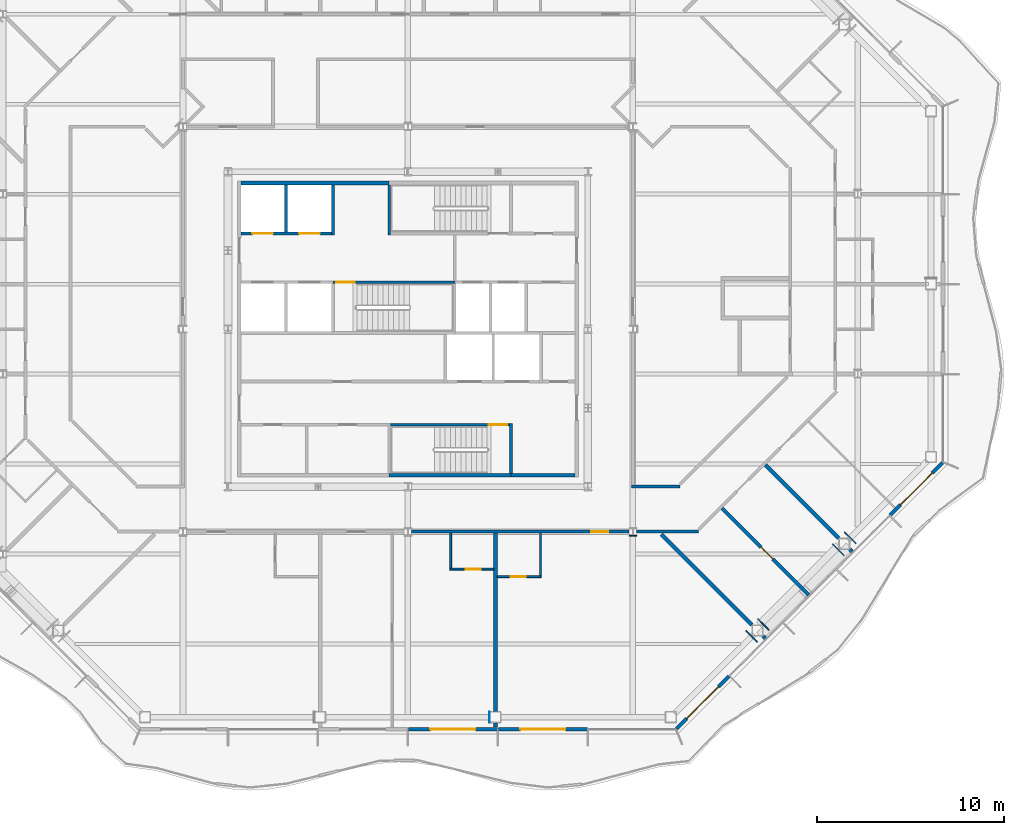
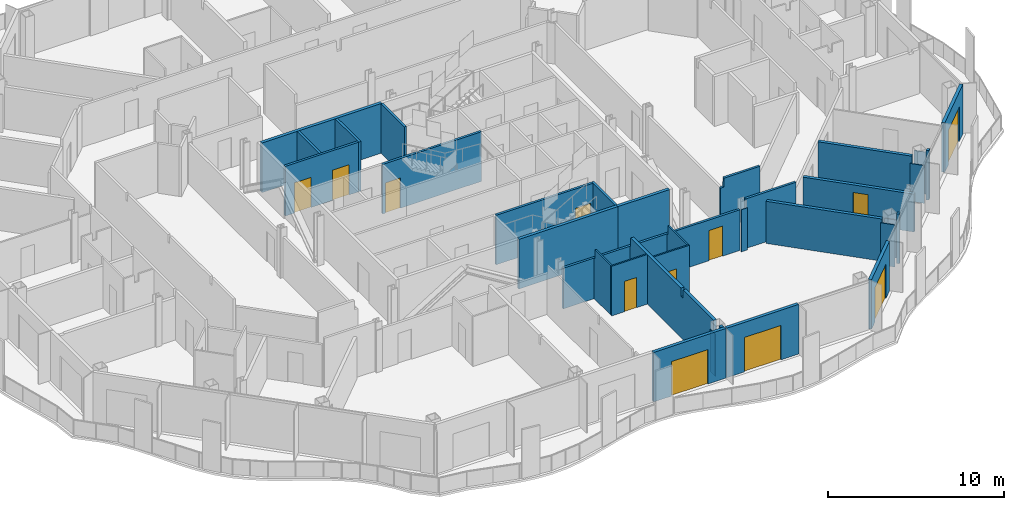
# One storey, part 9 of 21: 34 walls, 12 doors, 12 openings.
"""IFC4 building model written with IfcOpenShell, lengths in metres."""

from ifc_helpers import new_model, si_unit, direction, frame, frame_2d, origin, place, context, subcontext, project, spatial, polyline, rectangle, outline, extrude, material, layer, layer_set, type_object, element, fill, save


model = new_model("IFC4")

# Units and contexts
model_context = context("Model", 3, precision=1e-05, world=origin(), true_north=direction((0.0, 1.0)))
body_context = subcontext(model_context, "Body", "Model", "MODEL_VIEW")
ifc_project = project(units=[si_unit("LENGTHUNIT", "METRE"), si_unit("AREAUNIT", "SQUARE_METRE"), si_unit("VOLUMEUNIT", "CUBIC_METRE"), si_unit("PLANEANGLEUNIT", "RADIAN"), si_unit("MASSUNIT", "GRAM", prefix="KILO")], contexts=[model_context])

# Site, building, storey
site_placement = place(None, origin())
site = spatial("IfcSite", under=ifc_project, at=site_placement, CompositionType="ELEMENT")
building_placement = place(site_placement, origin())
building = spatial("IfcBuilding", under=site, at=building_placement, Name="Cairn Pilgrim Tower", CompositionType="ELEMENT")
storey_placement = place(building_placement, frame((0.0, 0.0, 157.800048828125)))
storey = spatial("IfcBuildingStorey", under=building, at=storey_placement, Name="L39", CompositionType="ELEMENT", Elevation=157.800048828125)

# Wall, opening, door
ifc_material_1 = material(Name="Bronze anodised aluminium insulated sandwich panel with mineral wool fill", Category="aluminium")
ifc_layer_1 = layer(ifc_material_1, 0.199951171875)
ifc_layer_set_1 = layer_set([ifc_layer_1], Name="BRONZE INFILL FRAME WALL 200")
wall_type_1 = type_object("IfcWallType", Name="BRONZE INFILL FRAME WALL 200", PredefinedType="NOTDEFINED", material=ifc_layer_set_1)
wall_1_placement = place(storey_placement, frame((7.22998046875, -18.949951171875, 0.0), z_axis=(0.0, 0.0, 1.0), x_axis=(1.0, 0.0, 0.0)))
wall_1 = element("IfcWall", 1, at=wall_1_placement, inside=storey, type_object=wall_type_1, Name="Bronze infill frame wall IW-S4", PredefinedType="NOTDEFINED", context=body_context, shape_type="SweptSolid", body=[
    extrude(rectangle(XDim=4.739990234375, YDim=0.199951171875, at=frame_2d((2.3701171875, 0.0))), origin(), (0.0, 0.0, 1.0), 3.449951171875),
])
opening_1_placement = place(wall_1_placement, frame((1.17041015625, 0.0, 0.0)))
opening_1 = element("IfcOpeningElement", 2, at=opening_1_placement, cuts=wall_1, Name="Opening 3922SB", PredefinedType="OPENING", context=body_context, shape_type="SweptSolid", body=[
    extrude(rectangle(XDim=2.39990234375, YDim=2.39990234375, at=frame_2d((1.199951171875, 1.199951171875))), frame((0.0, 0.10986328125, 0.0), z_axis=(0.0, -1.0, 0.0), x_axis=(1.0, 0.0, 0.0)), (0.0, 0.0, 1.0), 0.219970703125),
])
ifc_material_2 = material(Name="Bronze anodised aluminium frame with tinted low-E glass", Category="aluminium")
door_type_1 = type_object("IfcDoorType", Name="BALCONY SLIDING DOOR 2400x2400", OperationType="DOUBLE_DOOR_SLIDING", PredefinedType="DOOR", material=ifc_material_2)
door_1_placement = place(opening_1_placement, origin())
door_1 = element("IfcDoor", 3, at=door_1_placement, inside=storey, type_object=door_type_1, Name="Balcony sliding door 3922SB", OperationType="SINGLE_SWING_LEFT", OverallHeight=2.39990234375, OverallWidth=2.39990234375, PredefinedType="DOOR", context=body_context, shape_type="SweptSolid", body=[
    extrude(rectangle(XDim=2.39990234375, YDim=2.39990234375, at=frame_2d((1.199951171875, 1.199951171875))), frame((0.0, 0.02490234375, 0.0), z_axis=(0.0, -1.0, 0.0), x_axis=(1.0, 0.0, 0.0)), (0.0, 0.0, 1.0), 0.050048828125),
])
fill(opening_1, door_1)

wall_2_placement = place(storey_placement, frame((12.030029296875, -18.949951171875, 0.0), z_axis=(0.0, 0.0, 1.0), x_axis=(1.0, 0.0, 0.0)))
wall_2 = element("IfcWall", 4, at=wall_2_placement, inside=storey, type_object=wall_type_1, Name="Bronze infill frame wall IW-S5", PredefinedType="NOTDEFINED", context=body_context, shape_type="SweptSolid", body=[
    extrude(rectangle(XDim=4.739990234375, YDim=0.199951171875, at=frame_2d((2.3701171875, 0.0))), origin(), (0.0, 0.0, 1.0), 3.449951171875),
])
opening_2_placement = place(wall_2_placement, frame((1.169677734375, 0.0, 0.0)))
opening_2 = element("IfcOpeningElement", 5, at=opening_2_placement, cuts=wall_2, Name="Opening 3901B", PredefinedType="OPENING", context=body_context, shape_type="SweptSolid", body=[
    extrude(rectangle(XDim=2.39990234375, YDim=2.39990234375, at=frame_2d((1.199951171875, 1.199951171875))), frame((0.0, 0.10986328125, 0.0), z_axis=(0.0, -1.0, 0.0), x_axis=(1.0, 0.0, 0.0)), (0.0, 0.0, 1.0), 0.219970703125),
])
door_2_placement = place(opening_2_placement, origin())
door_2 = element("IfcDoor", 6, at=door_2_placement, inside=storey, type_object=door_type_1, Name="Balcony sliding door 3901B", OperationType="SINGLE_SWING_LEFT", OverallHeight=2.39990234375, OverallWidth=2.39990234375, PredefinedType="DOOR", context=body_context, shape_type="SweptSolid", body=[
    extrude(rectangle(XDim=2.39990234375, YDim=2.39990234375, at=frame_2d((1.199951171875, 1.199951171875))), frame((0.0, 0.02490234375, 0.0), z_axis=(0.0, -1.0, 0.0), x_axis=(1.0, 0.0, 0.0)), (0.0, 0.0, 1.0), 0.050048828125),
])
fill(opening_2, door_2)

wall_3_placement = place(storey_placement, frame((21.524658203125, -18.921630859375, 0.0), z_axis=(0.0, 0.0, 1.0), x_axis=(0.707137595296, 0.707075965734, 0.0)))
wall_3 = element("IfcWall", 7, at=wall_3_placement, inside=storey, type_object=wall_type_1, Name="Bronze infill frame wall IW-SE1", PredefinedType="NOTDEFINED", context=body_context, shape_type="SweptSolid", body=[
    extrude(rectangle(XDim=3.96142578125, YDim=0.199951171875, at=frame_2d((1.980712890625, 0.0))), origin(), (0.0, 0.0, 1.0), 3.449951171875),
])
opening_3_placement = place(wall_3_placement, frame((0.775390625, 0.0, 0.0)))
opening_3 = element("IfcOpeningElement", 8, at=opening_3_placement, cuts=wall_3, Name="Opening 3901B2", PredefinedType="OPENING", context=body_context, shape_type="SweptSolid", body=[
    extrude(rectangle(XDim=2.39990234375, YDim=2.39990234375, at=frame_2d((1.199951171875, 1.199951171875))), frame((0.0, 0.10986328125, 0.0), z_axis=(0.0, -1.0, 0.0), x_axis=(1.0, 0.0, 0.0)), (0.0, 0.0, 1.0), 0.219970703125),
])
door_3_placement = place(opening_3_placement, origin())
door_3 = element("IfcDoor", 9, at=door_3_placement, inside=storey, type_object=door_type_1, Name="Balcony sliding door 3901B2", OperationType="SINGLE_SWING_LEFT", OverallHeight=2.39990234375, OverallWidth=2.39990234375, PredefinedType="DOOR", context=body_context, shape_type="SweptSolid", body=[
    extrude(rectangle(XDim=2.39990234375, YDim=2.39990234375, at=frame_2d((1.199951171875, 1.199951171875))), frame((0.0, 0.02490234375, 0.0), z_axis=(0.0, -1.0, 0.0), x_axis=(1.0, 0.0, 0.0)), (0.0, 0.0, 1.0), 0.050048828125),
])
fill(opening_3, door_3)

wall_4_placement = place(storey_placement, frame((32.92041015625, -7.52587890625, 0.0), z_axis=(0.0, 0.0, 1.0), x_axis=(0.707106781187, 0.707106781187, 0.0)))
wall_4 = element("IfcWall", 10, at=wall_4_placement, inside=storey, type_object=wall_type_1, Name="Bronze infill frame wall IW-SE5", PredefinedType="NOTDEFINED", context=body_context, shape_type="SweptSolid", body=[
    extrude(rectangle(XDim=3.961669921875, YDim=0.199951171875, at=frame_2d((1.98095703125, 0.0))), origin(), (0.0, 0.0, 1.0), 3.449951171875),
])
opening_4_placement = place(wall_4_placement, frame((0.785400390625, 0.0, 0.0)))
opening_4 = element("IfcOpeningElement", 11, at=opening_4_placement, cuts=wall_4, Name="Opening 3905B", PredefinedType="OPENING", context=body_context, shape_type="SweptSolid", body=[
    extrude(rectangle(XDim=2.39990234375, YDim=2.39990234375, at=frame_2d((1.199951171875, 1.199951171875))), frame((0.0, 0.10986328125, 0.0), z_axis=(0.0, -1.0, 0.0), x_axis=(1.0, 0.0, 0.0)), (0.0, 0.0, 1.0), 0.219970703125),
])
door_4_placement = place(opening_4_placement, origin())
door_4 = element("IfcDoor", 12, at=door_4_placement, inside=storey, type_object=door_type_1, Name="Balcony sliding door 3905B", OperationType="SINGLE_SWING_LEFT", OverallHeight=2.39990234375, OverallWidth=2.39990234375, PredefinedType="DOOR", context=body_context, shape_type="SweptSolid", body=[
    extrude(rectangle(XDim=2.39990234375, YDim=2.39990234375, at=frame_2d((1.199951171875, 1.199951171875))), frame((0.0, 0.02490234375, 0.0), z_axis=(0.0, -1.0, 0.0), x_axis=(1.0, 0.0, 0.0)), (0.0, 0.0, 1.0), 0.050048828125),
])
fill(opening_4, door_4)

# Walls
ifc_material_3 = material(Name="Concrete C32/40", Category="concrete")
ifc_layer_2 = layer(ifc_material_3, 0.199951171875)
ifc_layer_set_2 = layer_set([ifc_layer_2], Name="CORE OUTER WALL 200 EI 120")
wall_type_2 = type_object("IfcWallType", Name="CORE OUTER WALL 200 EI 120", PredefinedType="SOLIDWALL", material=ifc_layer_set_2)
wall_5_placement = place(storey_placement, frame((12.699951171875, -5.39990234375, 0.0), z_axis=(0.0, 0.0, 1.0), x_axis=(1.0, 0.0, 0.0)))
element("IfcWall", 13, at=wall_5_placement, inside=storey, type_object=wall_type_2, Name="CW:L39:H01-3", PredefinedType="SOLIDWALL", context=body_context, shape_type="SweptSolid", body=[
    extrude(rectangle(XDim=3.400146484375, YDim=0.199951171875, at=frame_2d((1.7001953125, 0.0))), origin(), (0.0, 0.0, 1.0), 3.449951171875),
])
wall_6_placement = place(storey_placement, frame((-1.699951171875, 10.199951171875, 0.0), z_axis=(0.0, 0.0, 1.0), x_axis=(1.0, 0.0, 0.0)))
element("IfcWall", 14, at=wall_6_placement, inside=storey, type_object=wall_type_2, Name="CW:L39:H12-1", PredefinedType="SOLIDWALL", context=body_context, shape_type="SweptSolid", body=[
    extrude(rectangle(XDim=7.89990234375, YDim=0.199951171875, at=frame_2d((3.949951171875, 0.0))), origin(), (0.0, 0.0, 1.0), 3.449951171875),
])

# Wall, openings, doors
ifc_layer_3 = layer(ifc_material_3, 0.14990234375)
ifc_layer_set_3 = layer_set([ifc_layer_3], Name="CORE SHAFT WALL 150 EI 120")
wall_type_3 = type_object("IfcWallType", Name="CORE SHAFT WALL 150 EI 120", PredefinedType="SOLIDWALL", material=ifc_layer_set_3)
wall_7_placement = place(storey_placement, frame((-1.699951171875, 7.5, 0.0), z_axis=(0.0, 0.0, 1.0), x_axis=(1.0, 0.0, 0.0)))
wall_7 = element("IfcWall", 15, at=wall_7_placement, inside=storey, type_object=wall_type_3, Name="CW:L39:H10", PredefinedType="SOLIDWALL", context=body_context, shape_type="SweptSolid", body=[
    extrude(rectangle(XDim=4.824951171875, YDim=0.14990234375, at=frame_2d((2.41259765625, 0.0))), origin(), (0.0, 0.0, 1.0), 3.449951171875),
])
opening_5_placement = place(wall_7_placement, frame((0.60009765625, 0.0, 0.0)))
opening_5 = element("IfcOpeningElement", 16, at=opening_5_placement, cuts=wall_7, Name="Opening LD-HR3", PredefinedType="OPENING", context=body_context, shape_type="SweptSolid", body=[
    extrude(rectangle(XDim=1.10009765625, YDim=2.10009765625, at=frame_2d((0.550048828125, 1.050048828125))), frame((0.0, 0.0849609375, 0.0), z_axis=(0.0, -1.0, 0.0), x_axis=(1.0, 0.0, 0.0)), (0.0, 0.0, 1.0), 0.169921875),
])
opening_6_placement = place(wall_7_placement, frame((3.10009765625, 0.0, 0.0)))
opening_6 = element("IfcOpeningElement", 17, at=opening_6_placement, cuts=wall_7, Name="Opening LD-HR4", PredefinedType="OPENING", context=body_context, shape_type="SweptSolid", body=[
    extrude(rectangle(XDim=1.10009765625, YDim=2.10009765625, at=frame_2d((0.550048828125, 1.050048828125))), frame((0.0, 0.0849609375, 0.0), z_axis=(0.0, -1.0, 0.0), x_axis=(1.0, 0.0, 0.0)), (0.0, 0.0, 1.0), 0.169921875),
])
ifc_material_4 = material(Name="Stainless steel", Category="steel")
door_type_2 = type_object("IfcDoorType", Name="LIFT LANDING DOOR 1100x2100", OperationType="DOUBLE_DOOR_SLIDING", PredefinedType="DOOR", material=ifc_material_4)
door_5_placement = place(opening_5_placement, origin())
door_5 = element("IfcDoor", 18, at=door_5_placement, inside=storey, type_object=door_type_2, Name="LANDING DOOR HR3", OperationType="DOUBLE_DOOR_SLIDING", OverallHeight=2.10009765625, OverallWidth=1.10009765625, PredefinedType="DOOR", context=body_context, shape_type="SweptSolid", body=[
    extrude(rectangle(XDim=1.10009765625, YDim=2.10009765625, at=frame_2d((0.550048828125, 1.050048828125))), frame((0.0, 0.02490234375, 0.0), z_axis=(0.0, -1.0, 0.0), x_axis=(1.0, 0.0, 0.0)), (0.0, 0.0, 1.0), 0.050048828125),
])
fill(opening_5, door_5)
door_6_placement = place(opening_6_placement, origin())
door_6 = element("IfcDoor", 19, at=door_6_placement, inside=storey, type_object=door_type_2, Name="LANDING DOOR HR4", OperationType="DOUBLE_DOOR_SLIDING", OverallHeight=2.10009765625, OverallWidth=1.10009765625, PredefinedType="DOOR", context=body_context, shape_type="SweptSolid", body=[
    extrude(rectangle(XDim=1.10009765625, YDim=2.10009765625, at=frame_2d((0.550048828125, 1.050048828125))), frame((0.0, 0.02490234375, 0.0), z_axis=(0.0, -1.0, 0.0), x_axis=(1.0, 0.0, 0.0)), (0.0, 0.0, 1.0), 0.050048828125),
])
fill(opening_6, door_6)

# Walls
wall_8_placement = place(storey_placement, frame((0.699951171875, 7.574951171875, 0.0), z_axis=(0.0, 0.0, 1.0), x_axis=(0.0, 1.0, 0.0)))
element("IfcWall", 20, at=wall_8_placement, inside=storey, type_object=wall_type_3, Name="CW:L39:V15", PredefinedType="SOLIDWALL", context=body_context, shape_type="SweptSolid", body=[
    extrude(rectangle(XDim=2.525146484375, YDim=0.14990234375, at=frame_2d((1.2626953125, 0.0))), origin(), (0.0, 0.0, 1.0), 3.449951171875),
])
wall_9_placement = place(storey_placement, frame((3.199951171875, 7.425048828125, 0.0), z_axis=(0.0, 0.0, 1.0), x_axis=(0.0, 1.0, 0.0)))
element("IfcWall", 21, at=wall_9_placement, inside=storey, type_object=wall_type_3, Name="CW:L39:V18", PredefinedType="SOLIDWALL", context=body_context, shape_type="SweptSolid", body=[
    extrude(rectangle(XDim=2.675048828125, YDim=0.14990234375, at=frame_2d((1.33740234375, 0.0))), origin(), (0.0, 0.0, 1.0), 3.449951171875),
])

# Wall, opening, door
ifc_material_5 = material(Name="Gypsum partition")
ifc_layer_4 = layer(ifc_material_5, 0.10009765625)
ifc_layer_set_4 = layer_set([ifc_layer_4], Name="PARTITION 100 DRYWALL")
wall_type_4 = type_object("IfcWallType", Name="PARTITION 100 DRYWALL", PredefinedType="PARTITIONING", material=ifc_layer_set_4)
wall_10_placement = place(storey_placement, frame((11.97607421875, -10.800048828125, 0.0), z_axis=(0.0, 0.0, 1.0), x_axis=(1.0, 0.0, 0.0)))
wall_10 = element("IfcWall", 22, at=wall_10_placement, inside=storey, type_object=wall_type_4, Name="PARTITION W013", PredefinedType="PARTITIONING", context=body_context, shape_type="SweptSolid", body=[
    extrude(rectangle(XDim=2.349853515625, YDim=0.10009765625, at=frame_2d((1.1748046875, 0.0))), origin(), (0.0, 0.0, 1.0), 3.449951171875),
])
opening_7_placement = place(wall_10_placement, frame((0.699951171875, 0.0, 0.0)))
opening_7 = element("IfcOpeningElement", 23, at=opening_7_placement, cuts=wall_10, Name="Opening 3901A", PredefinedType="OPENING", context=body_context, shape_type="SweptSolid", body=[
    extrude(rectangle(XDim=0.800048828125, YDim=2.10009765625, at=frame_2d((0.39990234375, 1.050048828125))), frame((0.0, 0.06005859375, 0.0), z_axis=(0.0, -1.0, 0.0), x_axis=(1.0, 0.0, 0.0)), (0.0, 0.0, 1.0), 0.1201171875),
])
ifc_material_6 = material(Name="Timber door leaf", Category="wood")
door_type_3 = type_object("IfcDoorType", Name="WC DOOR 800x2100", OperationType="NOTDEFINED", PredefinedType="DOOR", material=ifc_material_6)
door_7_placement = place(opening_7_placement, frame((0.800048828125, 0.0, 0.0), z_axis=(0.0, 0.0, 1.0), x_axis=(-1.0, 0.0, 0.0)))
door_7 = element("IfcDoor", 24, at=door_7_placement, inside=storey, type_object=door_type_3, Name="DOOR 3901A", OperationType="SINGLE_SWING_LEFT", OverallHeight=2.10009765625, OverallWidth=0.800048828125, PredefinedType="DOOR", context=body_context, shape_type="SweptSolid", body=[
    extrude(rectangle(XDim=0.800048828125, YDim=2.10009765625, at=frame_2d((0.39990234375, 1.050048828125))), frame((0.0, 0.02490234375, 0.0), z_axis=(0.0, -1.0, 0.0), x_axis=(1.0, 0.0, 0.0)), (0.0, 0.0, 1.0), 0.050048828125),
])
fill(opening_7, door_7)

# Wall
wall_11_placement = place(storey_placement, frame((14.27587890625, -10.75, 0.0), z_axis=(0.0, 0.0, 1.0), x_axis=(0.0, 1.0, 0.0)))
element("IfcWall", 25, at=wall_11_placement, inside=storey, type_object=wall_type_4, Name="PARTITION W014", PredefinedType="PARTITIONING", context=body_context, shape_type="SweptSolid", body=[
    extrude(outline(polyline([(0.0, 0.0), (2.27490234375, 0.0), (2.27490234375, 2.829833984375), (2.199951171875, 2.829833984375), (2.197998046875, 3.449951171875), (0.0, 3.449951171875), (0.0, 0.0)])), frame((0.0, 0.050048828125, 0.0), z_axis=(0.0, -1.0, 0.0), x_axis=(1.0, 0.0, 0.0)), (0.0, 0.0, 1.0), 0.10009765625),
])

# Wall, opening, door
wall_12_placement = place(storey_placement, frame((9.426025390625, -10.39990234375, 0.0), z_axis=(0.0, 0.0, 1.0), x_axis=(1.0, 0.0, 0.0)))
wall_12 = element("IfcWall", 26, at=wall_12_placement, inside=storey, type_object=wall_type_4, Name="PARTITION W016", PredefinedType="PARTITIONING", context=body_context, shape_type="SweptSolid", body=[
    extrude(rectangle(XDim=2.349853515625, YDim=0.10009765625, at=frame_2d((1.1748046875, 0.0))), origin(), (0.0, 0.0, 1.0), 3.449951171875),
])
opening_8_placement = place(wall_12_placement, frame((0.85009765625, 0.0, 0.0)))
opening_8 = element("IfcOpeningElement", 27, at=opening_8_placement, cuts=wall_12, Name="Opening 3922A", PredefinedType="OPENING", context=body_context, shape_type="SweptSolid", body=[
    extrude(rectangle(XDim=0.800048828125, YDim=2.10009765625, at=frame_2d((0.39990234375, 1.050048828125))), frame((0.0, 0.06005859375, 0.0), z_axis=(0.0, -1.0, 0.0), x_axis=(1.0, 0.0, 0.0)), (0.0, 0.0, 1.0), 0.1201171875),
])
door_8_placement = place(opening_8_placement, frame((0.800048828125, 0.0, 0.0), z_axis=(0.0, 0.0, 1.0), x_axis=(-1.0, 0.0, 0.0)))
door_8 = element("IfcDoor", 28, at=door_8_placement, inside=storey, type_object=door_type_3, Name="DOOR 3922A", OperationType="SINGLE_SWING_LEFT", OverallHeight=2.10009765625, OverallWidth=0.800048828125, PredefinedType="DOOR", context=body_context, shape_type="SweptSolid", body=[
    extrude(rectangle(XDim=0.800048828125, YDim=2.10009765625, at=frame_2d((0.39990234375, 1.050048828125))), frame((0.0, 0.02490234375, 0.0), z_axis=(0.0, -1.0, 0.0), x_axis=(1.0, 0.0, 0.0)), (0.0, 0.0, 1.0), 0.050048828125),
])
fill(opening_8, door_8)

# Wall
wall_13_placement = place(storey_placement, frame((9.47607421875, -10.35009765625, 0.0), z_axis=(0.0, 0.0, 1.0), x_axis=(0.0, 1.0, 0.0)))
element("IfcWall", 29, at=wall_13_placement, inside=storey, type_object=wall_type_4, Name="PARTITION W017", PredefinedType="PARTITIONING", context=body_context, shape_type="SweptSolid", body=[
    extrude(outline(polyline([(0.0, 0.0), (1.875, 0.0), (1.875, 2.829833984375), (1.800048828125, 2.829833984375), (1.798095703125, 3.449951171875), (0.0, 3.449951171875), (0.0, 0.0)])), frame((0.0, 0.050048828125, 0.0), z_axis=(0.0, -1.0, 0.0), x_axis=(1.0, 0.0, 0.0)), (0.0, 0.0, 1.0), 0.10009765625),
])

# Wall, opening, door
ifc_layer_5 = layer(ifc_material_5, 0.14990234375)
ifc_layer_set_5 = layer_set([ifc_layer_5], Name="PARTITION 150 DRYWALL EI 60")
wall_type_5 = type_object("IfcWallType", Name="PARTITION 150 DRYWALL EI 60", PredefinedType="PARTITIONING", material=ifc_layer_set_5)
wall_14_placement = place(storey_placement, frame((7.3994140625, -8.39990234375, 0.0), z_axis=(0.0, 0.0, 1.0), x_axis=(1.0, 0.0, 0.0)))
wall_14 = element("IfcWall", 30, at=wall_14_placement, inside=storey, type_object=wall_type_5, Name="PARTITION W023", PredefinedType="PARTITIONING", context=body_context, shape_type="SweptSolid", body=[
    extrude(rectangle(XDim=11.60107421875, YDim=0.14990234375, at=frame_2d((5.800537109375, 0.0))), origin(), (0.0, 0.0, 1.0), 2.829833984375),
])
opening_9_placement = place(wall_14_placement, frame((9.576416015625, 0.0, 0.0)))
opening_9 = element("IfcOpeningElement", 31, at=opening_9_placement, cuts=wall_14, Name="Opening 3901", PredefinedType="OPENING", context=body_context, shape_type="SweptSolid", body=[
    extrude(rectangle(XDim=0.89990234375, YDim=2.10009765625, at=frame_2d((0.449951171875, 1.050048828125))), frame((0.0, 0.0849609375, 0.0), z_axis=(0.0, -1.0, 0.0), x_axis=(1.0, 0.0, 0.0)), (0.0, 0.0, 1.0), 0.169921875),
])
door_type_4 = type_object("IfcDoorType", Name="ROOM DOOR 900x2100 FD30S", OperationType="NOTDEFINED", PredefinedType="DOOR", material=ifc_material_6)
door_9_placement = place(opening_9_placement, frame((0.89990234375, 0.0, 0.0), z_axis=(0.0, 0.0, 1.0), x_axis=(-1.0, 0.0, 0.0)))
door_9 = element("IfcDoor", 32, at=door_9_placement, inside=storey, type_object=door_type_4, Name="DOOR 3901", OperationType="SINGLE_SWING_LEFT", OverallHeight=2.10009765625, OverallWidth=0.89990234375, PredefinedType="DOOR", context=body_context, shape_type="SweptSolid", body=[
    extrude(rectangle(XDim=0.89990234375, YDim=2.10009765625, at=frame_2d((0.449951171875, 1.050048828125))), frame((0.0, 0.02490234375, 0.0), z_axis=(0.0, -1.0, 0.0), x_axis=(1.0, 0.0, 0.0)), (0.0, 0.0, 1.0), 0.050048828125),
])
fill(opening_9, door_9)

# Walls
wall_15_placement = place(storey_placement, frame((19.3994140625, -8.39990234375, 0.0), z_axis=(0.0, 0.0, 1.0), x_axis=(1.0, 0.0, 0.0)))
element("IfcWall", 33, at=wall_15_placement, inside=storey, type_object=wall_type_5, Name="PARTITION W024", PredefinedType="PARTITIONING", context=body_context, shape_type="SweptSolid", body=[
    extrude(rectangle(XDim=3.300537109375, YDim=0.14990234375, at=frame_2d((1.650390625, 0.0))), origin(), (0.0, 0.0, 1.0), 3.449951171875),
])
wall_16_placement = place(storey_placement, frame((19.125, -6.0, 0.0), z_axis=(0.0, 0.0, 1.0), x_axis=(1.0, 0.0, 0.0)))
element("IfcWall", 34, at=wall_16_placement, inside=storey, type_object=wall_type_5, Name="PARTITION W031", PredefinedType="PARTITIONING", context=body_context, shape_type="SweptSolid", body=[
    extrude(outline(polyline([(0.0, 0.0), (2.5810546875, 0.0), (2.5810546875, 3.449951171875), (0.22509765625, 3.449951171875), (0.222900390625, 2.829833984375), (0.0, 2.829833984375), (0.0, 0.0)])), frame((0.0, 0.074951171875, 0.0), z_axis=(0.0, -1.0, 0.0), x_axis=(1.0, 0.0, 0.0)), (0.0, 0.0, 1.0), 0.14990234375),
])
ifc_layer_6 = layer(ifc_material_5, 0.050048828125)
ifc_layer_set_6 = layer_set([ifc_layer_6], Name="PARTITION 50 DRYWALL EI 60")
wall_type_6 = type_object("IfcWallType", Name="PARTITION 50 DRYWALL EI 60", PredefinedType="PARTITIONING", material=ifc_layer_set_6)
wall_17_placement = place(storey_placement, frame((11.55078125, -18.60009765625, 0.0), z_axis=(0.0, 0.0, 1.0), x_axis=(0.0, 1.0, 0.0)))
element("IfcWall", 35, at=wall_17_placement, inside=storey, type_object=wall_type_6, Name="COLUMN CASING WC02", PredefinedType="PARTITIONING", context=body_context, shape_type="SweptSolid", body=[
    extrude(rectangle(XDim=0.60009765625, YDim=0.050048828125, at=frame_2d((0.300048828125, 0.0))), origin(), (0.0, 0.0, 1.0), 2.929931640625),
])
wall_18_placement = place(storey_placement, frame((25.833740234375, -14.29345703125, 0.0), z_axis=(0.0, 0.0, 1.0), x_axis=(-0.706962899457, 0.707250633645, 0.0)))
element("IfcWall", 36, at=wall_18_placement, inside=storey, type_object=wall_type_6, Name="COLUMN CASING WC05", PredefinedType="PARTITIONING", context=body_context, shape_type="SweptSolid", body=[
    extrude(rectangle(XDim=0.848388671875, YDim=0.050048828125, at=frame_2d((0.42431640625, 0.0))), origin(), (0.0, 0.0, 1.0), 2.929931640625),
])
wall_19_placement = place(storey_placement, frame((26.46923828125, -13.657958984375, 0.0), z_axis=(0.0, 0.0, 1.0), x_axis=(-0.707250633645, 0.706962899457, 0.0)))
element("IfcWall", 37, at=wall_19_placement, inside=storey, type_object=wall_type_6, Name="COLUMN CASING WC06", PredefinedType="PARTITIONING", context=body_context, shape_type="SweptSolid", body=[
    extrude(rectangle(XDim=0.848388671875, YDim=0.050048828125, at=frame_2d((0.42431640625, 0.0))), origin(), (0.0, 0.0, 1.0), 2.6298828125),
])
wall_20_placement = place(storey_placement, frame((30.4580078125, -9.669189453125, 0.0), z_axis=(0.0, 0.0, 1.0), x_axis=(-0.707106781187, 0.707106781187, 0.0)))
element("IfcWall", 38, at=wall_20_placement, inside=storey, type_object=wall_type_6, Name="COLUMN CASING WC08", PredefinedType="PARTITIONING", context=body_context, shape_type="SweptSolid", body=[
    extrude(rectangle(XDim=0.8486328125, YDim=0.050048828125, at=frame_2d((0.42431640625, 0.0))), origin(), (0.0, 0.0, 1.0), 2.6298828125),
])
wall_21_placement = place(storey_placement, frame((31.093505859375, -9.03369140625, 0.0), z_axis=(0.0, 0.0, 1.0), x_axis=(-0.707250633645, 0.706962899457, 0.0)))
element("IfcWall", 39, at=wall_21_placement, inside=storey, type_object=wall_type_6, Name="COLUMN CASING WC09", PredefinedType="PARTITIONING", context=body_context, shape_type="SweptSolid", body=[
    extrude(rectangle(XDim=0.848388671875, YDim=0.050048828125, at=frame_2d((0.42431640625, 0.0))), origin(), (0.0, 0.0, 1.0), 2.929931640625),
])
wall_22_placement = place(storey_placement, frame((19.00048828125, -8.62158203125, 0.0), z_axis=(0.0, 0.0, 1.0), x_axis=(1.0, 0.0, 0.0)))
element("IfcWall", 40, at=wall_22_placement, inside=storey, type_object=wall_type_6, Name="COLUMN CASING WC12", PredefinedType="PARTITIONING", context=body_context, shape_type="SweptSolid", body=[
    extrude(rectangle(XDim=0.39892578125, YDim=0.050048828125, at=frame_2d((0.199462890625, 0.0))), origin(), (0.0, 0.0, 1.0), 2.929931640625),
])
ifc_layer_7 = layer(ifc_material_5, 0.199951171875)
ifc_layer_set_7 = layer_set([ifc_layer_7], Name="SHAFT WALL 200 GYPSUM EI 60")
wall_type_7 = type_object("IfcWallType", Name="SHAFT WALL 200 GYPSUM EI 60", PredefinedType="PARTITIONING", material=ifc_layer_set_7)
wall_23_placement = place(storey_placement, frame((11.8759765625, -18.820068359375, 0.0), z_axis=(0.0, 0.0, 1.0), x_axis=(0.0, 1.0, 0.0)))
element("IfcWall", 41, at=wall_23_placement, inside=storey, type_object=wall_type_7, Name="PARTITION W003", PredefinedType="PARTITIONING", context=body_context, shape_type="SweptSolid", body=[
    extrude(rectangle(XDim=0.219970703125, YDim=0.199951171875, at=frame_2d((0.10986328125, 0.0))), origin(), (0.0, 0.0, 1.0), 3.449951171875),
])
wall_24_placement = place(storey_placement, frame((11.8759765625, -18.0, 0.0), z_axis=(0.0, 0.0, 1.0), x_axis=(0.0, 1.0, 0.0)))
element("IfcWall", 42, at=wall_24_placement, inside=storey, type_object=wall_type_7, Name="PARTITION W005", PredefinedType="PARTITIONING", context=body_context, shape_type="SweptSolid", body=[
    extrude(outline(polyline([(0.0, 0.0), (9.52490234375, 0.0), (9.52490234375, 2.829833984375), (9.449951171875, 2.829833984375), (9.447998046875, 3.449951171875), (3.705078125, 3.449951171875), (3.702880859375, 2.8798828125), (3.4951171875, 2.8798828125), (3.492919921875, 3.449951171875), (0.0, 3.449951171875), (0.0, 0.0)])), frame((0.0, 0.10009765625, 0.0), z_axis=(0.0, -1.0, 0.0), x_axis=(1.0, 0.0, 0.0)), (0.0, 0.0, 1.0), 0.199951171875),
])
wall_25_placement = place(storey_placement, frame((26.268798828125, -14.0927734375, 0.0), z_axis=(0.0, 0.0, 1.0), x_axis=(-0.707106781187, 0.707106781187, 0.0)))
element("IfcWall", 43, at=wall_25_placement, inside=storey, type_object=wall_type_7, Name="PARTITION W007", PredefinedType="PARTITIONING", context=body_context, shape_type="SweptSolid", body=[
    extrude(rectangle(XDim=0.165771484375, YDim=0.199951171875, at=frame_2d((0.0830078125, 0.0))), origin(), (0.0, 0.0, 1.0), 3.449951171875),
])
wall_26_placement = place(storey_placement, frame((25.551513671875, -13.37548828125, 0.0), z_axis=(0.0, 0.0, 1.0), x_axis=(-0.707106781187, 0.707106781187, 0.0)))
element("IfcWall", 44, at=wall_26_placement, inside=storey, type_object=wall_type_7, Name="PARTITION W009", PredefinedType="PARTITIONING", context=body_context, shape_type="SweptSolid", body=[
    extrude(rectangle(XDim=6.830322265625, YDim=0.199951171875, at=frame_2d((3.4150390625, 0.0))), origin(), (0.0, 0.0, 1.0), 2.929931640625),
])

# Wall, opening, door
wall_27_placement = place(storey_placement, frame((28.580810546875, -11.78076171875, 0.0), z_axis=(0.0, 0.0, 1.0), x_axis=(-0.707106781187, 0.707106781187, 0.0)))
wall_27 = element("IfcWall", 45, at=wall_27_placement, inside=storey, type_object=wall_type_7, Name="PARTITION W010", PredefinedType="PARTITIONING", context=body_context, shape_type="SweptSolid", body=[
    extrude(rectangle(XDim=6.549072265625, YDim=0.199951171875, at=frame_2d((3.2744140625, 0.0))), origin(), (0.0, 0.0, 1.0), 2.6298828125),
])
opening_10_placement = place(wall_27_placement, frame((2.70703125, 0.0, 0.0)))
opening_10 = element("IfcOpeningElement", 46, at=opening_10_placement, cuts=wall_27, Name="Opening 3902", PredefinedType="OPENING", context=body_context, shape_type="SweptSolid", body=[
    extrude(rectangle(XDim=0.89990234375, YDim=2.10009765625, at=frame_2d((0.449951171875, 1.050048828125))), frame((0.0, 0.10986328125, 0.0), z_axis=(0.0, -1.0, 0.0), x_axis=(1.0, 0.0, 0.0)), (0.0, 0.0, 1.0), 0.219970703125),
])
door_type_5 = type_object("IfcDoorType", Name="SERVICE DOOR 900x2100 FD30S", OperationType="NOTDEFINED", PredefinedType="DOOR", material=ifc_material_6)
door_10_placement = place(opening_10_placement, origin())
door_10 = element("IfcDoor", 47, at=door_10_placement, inside=storey, type_object=door_type_5, Name="DOOR 3902", OperationType="SINGLE_SWING_RIGHT", OverallHeight=2.10009765625, OverallWidth=0.89990234375, PredefinedType="DOOR", context=body_context, shape_type="SweptSolid", body=[
    extrude(rectangle(XDim=0.89990234375, YDim=2.10009765625, at=frame_2d((0.449951171875, 1.050048828125))), frame((0.0, 0.02490234375, 0.0), z_axis=(0.0, -1.0, 0.0), x_axis=(1.0, 0.0, 0.0)), (0.0, 0.0, 1.0), 0.050048828125),
])
fill(opening_10, door_10)

# Walls
wall_28_placement = place(storey_placement, frame((30.892822265625, -9.46875, 0.0), z_axis=(0.0, 0.0, 1.0), x_axis=(-0.707106781187, 0.707106781187, 0.0)))
element("IfcWall", 48, at=wall_28_placement, inside=storey, type_object=wall_type_7, Name="PARTITION W018", PredefinedType="PARTITIONING", context=body_context, shape_type="SweptSolid", body=[
    extrude(rectangle(XDim=0.165771484375, YDim=0.199951171875, at=frame_2d((0.0830078125, 0.0))), origin(), (0.0, 0.0, 1.0), 3.449951171875),
])
wall_29_placement = place(storey_placement, frame((30.175537109375, -8.751708984375, 0.0), z_axis=(0.0, 0.0, 1.0), x_axis=(-0.707084725798, 0.707128835887, 0.0)))
element("IfcWall", 49, at=wall_29_placement, inside=storey, type_object=wall_type_7, Name="PARTITION W020", PredefinedType="PARTITIONING", context=body_context, shape_type="SweptSolid", body=[
    extrude(rectangle(XDim=5.534912109375, YDim=0.199951171875, at=frame_2d((2.767578125, 0.0))), origin(), (0.0, 0.0, 1.0), 2.8798828125),
])

# Wall, opening, door
ifc_material_7 = material(Name="Concrete C35/45", Category="concrete")
ifc_layer_8 = layer(ifc_material_7, 0.14990234375)
ifc_layer_set_8 = layer_set([ifc_layer_8], Name="STAIR SHAFT WALL 150 EI 120")
wall_type_8 = type_object("IfcWallType", Name="STAIR SHAFT WALL 150 EI 120", PredefinedType="SOLIDWALL", material=ifc_layer_set_8)
wall_30_placement = place(storey_placement, frame((6.27490234375, -2.699951171875, 0.0), z_axis=(0.0, 0.0, 1.0), x_axis=(1.0, 0.0, 0.0)))
wall_30 = element("IfcWall", 50, at=wall_30_placement, inside=storey, type_object=wall_type_8, Name="CW:L39:H03", PredefinedType="SOLIDWALL", context=body_context, shape_type="SweptSolid", body=[
    extrude(rectangle(XDim=6.35009765625, YDim=0.14990234375, at=frame_2d((3.175048828125, 0.0))), origin(), (0.0, 0.0, 1.0), 3.449951171875),
])
opening_11_placement = place(wall_30_placement, frame((5.22509765625, 0.0, 0.0)))
opening_11 = element("IfcOpeningElement", 51, at=opening_11_placement, cuts=wall_30, Name="Opening SD-A", PredefinedType="OPENING", context=body_context, shape_type="SweptSolid", body=[
    extrude(rectangle(XDim=1.0, YDim=2.10009765625, at=frame_2d((0.5, 1.050048828125))), frame((0.0, 0.0849609375, 0.0), z_axis=(0.0, -1.0, 0.0), x_axis=(1.0, 0.0, 0.0)), (0.0, 0.0, 1.0), 0.169921875),
])
ifc_material_8 = material(Name="Painted steel", Category="steel")
door_type_6 = type_object("IfcDoorType", Name="STAIR DOOR FD60S 1000x2100", OperationType="SINGLE_SWING_LEFT", PredefinedType="DOOR", material=ifc_material_8)
door_11_placement = place(opening_11_placement, origin())
door_11 = element("IfcDoor", 52, at=door_11_placement, inside=storey, type_object=door_type_6, Name="SD-A", OperationType="SINGLE_SWING_RIGHT", OverallHeight=2.10009765625, OverallWidth=1.0, PredefinedType="DOOR", context=body_context, shape_type="SweptSolid", body=[
    extrude(rectangle(XDim=1.0, YDim=2.10009765625, at=frame_2d((0.5, 1.050048828125))), frame((0.0, 0.02490234375, 0.0), z_axis=(0.0, -1.0, 0.0), x_axis=(1.0, 0.0, 0.0)), (0.0, 0.0, 1.0), 0.050048828125),
])
fill(opening_11, door_11)

wall_31_placement = place(storey_placement, frame((3.199951171875, 4.89990234375, 0.0), z_axis=(0.0, 0.0, 1.0), x_axis=(1.0, 0.0, 0.0)))
wall_31 = element("IfcWall", 53, at=wall_31_placement, inside=storey, type_object=wall_type_8, Name="CW:L39:H09-2", PredefinedType="SOLIDWALL", context=body_context, shape_type="SweptSolid", body=[
    extrude(rectangle(XDim=6.5, YDim=0.14990234375, at=frame_2d((3.25, 0.0))), origin(), (0.0, 0.0, 1.0), 3.449951171875),
])
opening_12_placement = place(wall_31_placement, frame((0.175048828125, 0.0, 0.0)))
opening_12 = element("IfcOpeningElement", 54, at=opening_12_placement, cuts=wall_31, Name="Opening SD-B", PredefinedType="OPENING", context=body_context, shape_type="SweptSolid", body=[
    extrude(rectangle(XDim=1.0, YDim=2.10009765625, at=frame_2d((0.5, 1.050048828125))), frame((0.0, 0.0849609375, 0.0), z_axis=(0.0, -1.0, 0.0), x_axis=(1.0, 0.0, 0.0)), (0.0, 0.0, 1.0), 0.169921875),
])
door_12_placement = place(opening_12_placement, origin())
door_12 = element("IfcDoor", 55, at=door_12_placement, inside=storey, type_object=door_type_6, Name="SD-B", OperationType="SINGLE_SWING_LEFT", OverallHeight=2.10009765625, OverallWidth=1.0, PredefinedType="DOOR", context=body_context, shape_type="SweptSolid", body=[
    extrude(rectangle(XDim=1.0, YDim=2.10009765625, at=frame_2d((0.5, 1.050048828125))), frame((0.0, 0.02490234375, 0.0), z_axis=(0.0, -1.0, 0.0), x_axis=(1.0, 0.0, 0.0)), (0.0, 0.0, 1.0), 0.050048828125),
])
fill(opening_12, door_12)

# Walls
for number, where, z_axis, x_axis, name in (
    (56, (6.199951171875, 7.425048828125, 0.0), (0.0, 0.0, 1.0), (0.0, 1.0, 0.0), "CW:L39:V20"),
    (57, (12.699951171875, -5.300048828125, 0.0), (0.0, 0.0, 1.0), (0.0, 1.0, 0.0), "CW:L39:V26"),
):
    element("IfcWall", number, at=place(storey_placement, frame(where, z_axis=z_axis, x_axis=x_axis)), inside=storey, type_object=wall_type_8, Name=name, PredefinedType="SOLIDWALL", context=body_context, shape_type="SweptSolid", body=[
        extrude(rectangle(XDim=2.675048828125, YDim=0.14990234375, at=frame_2d((1.33740234375, 0.0))), origin(), (0.0, 0.0, 1.0), 3.449951171875),
    ])
ifc_layer_9 = layer(ifc_material_7, 0.199951171875)
ifc_layer_set_9 = layer_set([ifc_layer_9], Name="STAIR SHAFT WALL 200 EI 120")
wall_type_9 = type_object("IfcWallType", Name="STAIR SHAFT WALL 200 EI 120", PredefinedType="SOLIDWALL", material=ifc_layer_set_9)
wall_32_placement = place(storey_placement, frame((6.199951171875, -5.39990234375, 0.0), z_axis=(0.0, 0.0, 1.0), x_axis=(1.0, 0.0, 0.0)))
element("IfcWall", 58, at=wall_32_placement, inside=storey, type_object=wall_type_9, Name="CW:L39:H01-2", PredefinedType="SOLIDWALL", context=body_context, shape_type="SweptSolid", body=[
    extrude(rectangle(XDim=6.5, YDim=0.199951171875, at=frame_2d((3.25, 0.0))), origin(), (0.0, 0.0, 1.0), 3.449951171875),
])

save(model, "model.ifc")
